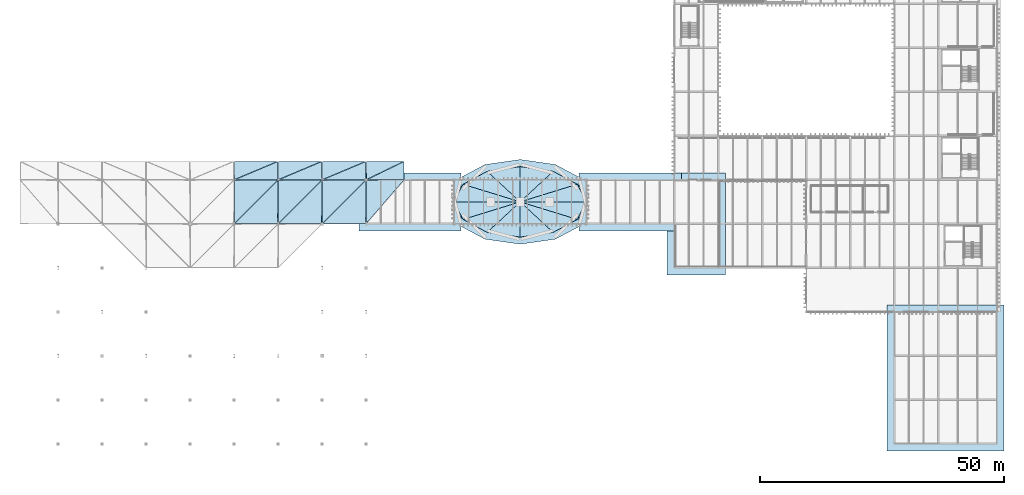
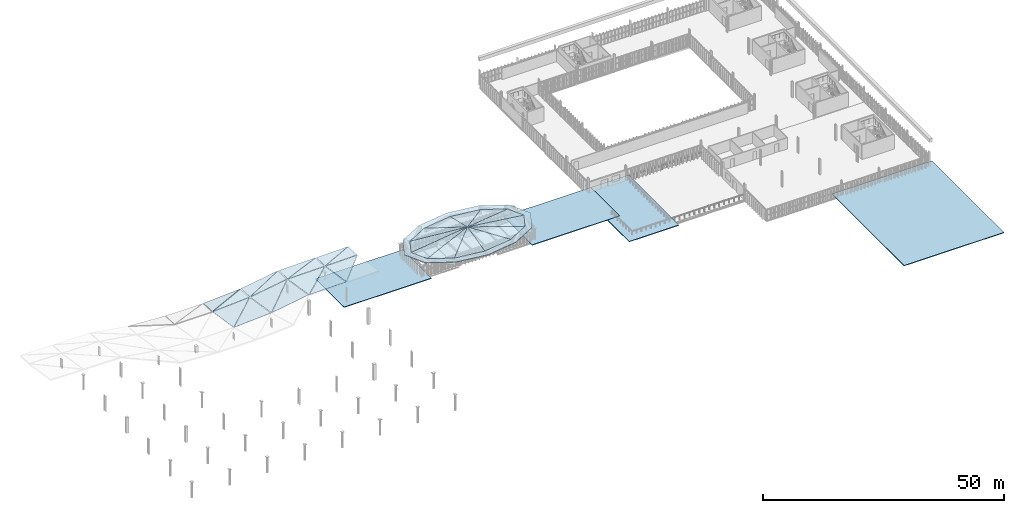
# One storey, part 93 of 102: 32 roofs.
"""IFC4 building model written with IfcOpenShell, lengths in metres."""

import ifcopenshell
import ifcopenshell.guid

model = None  # the IFC model being written
_history = None  # IfcOwnerHistory: only IFC2X3 demands one
_inside = {}  # id of a spatial element -> (the spatial element, [elements in it])
_under = {}  # id of a project, library or spatial element -> (it, [spatial elements below it])
_declared = {}  # id of a project -> (the project, [libraries it declares])
_typed = {}  # id of a type object -> (the type object, [elements of that type])
_made_of = {}  # id of a material, layer set ... -> (it, [elements and type objects made of it])


def new_model(schema):
    """Start an empty IFC model of exactly this schema.

    Asked for "IFC4X3", IfcOpenShell would pick the latest addendum, in which some entities
    have other attributes; the version numbers below select the first issue.
    IFC2X3 requires an IfcOwnerHistory on every rooted entity: one is made here for all.
    """
    global model, _history
    if schema == "IFC4X3":
        model = ifcopenshell.file(schema_version=(4, 3, 0, 0))
    else:
        model = ifcopenshell.file(schema=schema)
    _inside.clear()
    _under.clear()
    _declared.clear()
    _typed.clear()
    _made_of.clear()
    _history = None
    if model.schema == "IFC2X3":
        org = make("IfcOrganization", Name="unknown")
        user = make(
            "IfcPersonAndOrganization",
            ThePerson=make("IfcPerson", FamilyName="unknown"),
            TheOrganization=org,
        )
        app = make(
            "IfcApplication",
            ApplicationDeveloper=org,
            Version="unknown",
            ApplicationFullName="unknown",
            ApplicationIdentifier="unknown",
        )
        _history = make(
            "IfcOwnerHistory",
            OwningUser=user,
            OwningApplication=app,
            ChangeAction="ADDED",
            CreationDate=0,
        )
    return model


def make(cls, **values):
    """One entity of the class cls with the attributes given. An attribute that is None is left unset."""
    return model.create_entity(
        cls, **{name: value for name, value in values.items() if value is not None}
    )


def rooted(cls, **values):
    """An entity with a GlobalId (a new one), such as an element, a storey or a relation."""
    return make(cls, GlobalId=ifcopenshell.guid.new(), OwnerHistory=_history, **values)


def si_unit(unit_type, name, prefix=None):
    """IfcSIUnit, for example si_unit("LENGTHUNIT", "METRE", prefix="MILLI")."""
    return make("IfcSIUnit", UnitType=unit_type, Prefix=prefix, Name=name)


def assignment(units):
    """IfcUnitAssignment: the units of a project."""
    return None if units is None else make("IfcUnitAssignment", Units=units)


def point(xyz):
    """IfcCartesianPoint."""
    return None if xyz is None else make("IfcCartesianPoint", Coordinates=xyz)


def direction(xyz):
    """IfcDirection."""
    return None if xyz is None else make("IfcDirection", DirectionRatios=xyz)


def frame(location, z_axis=None, x_axis=None):
    """IfcAxis2Placement3D, a coordinate frame: its origin and axes. An axis left out is left unset."""
    return make(
        "IfcAxis2Placement3D",
        Location=point(location),
        Axis=direction(z_axis),
        RefDirection=direction(x_axis),
    )


def origin():
    """The frame at (0, 0, 0) with its axes left unset."""
    return frame((0.0, 0.0, 0.0))


def place(relative_to, where):
    """IfcLocalPlacement: puts the frame where relative to a parent placement (None: the world)."""
    return make(
        "IfcLocalPlacement", PlacementRelTo=relative_to, RelativePlacement=where
    )


def context(
    kind, dimensions, precision=None, world=None, true_north=None, identifier=None
):
    """IfcGeometricRepresentationContext, for example the 3D "Model" context."""
    return make(
        "IfcGeometricRepresentationContext",
        ContextIdentifier=identifier,
        ContextType=kind,
        CoordinateSpaceDimension=dimensions,
        Precision=precision,
        WorldCoordinateSystem=world,
        TrueNorth=true_north,
    )


def subcontext(parent, identifier, kind, view, scale=None):
    """IfcGeometricRepresentationSubContext, for example "Body" below "Model"."""
    return make(
        "IfcGeometricRepresentationSubContext",
        ContextIdentifier=identifier,
        ContextType=kind,
        ParentContext=parent,
        TargetScale=scale,
        TargetView=view,
    )


def project(units=None, contexts=None):
    """IfcProject with its units and contexts."""
    return rooted(
        "IfcProject",
        Name="project",
        RepresentationContexts=contexts,
        UnitsInContext=assignment(units),
    )


def spatial(cls, under=None, at=None, **own):
    """A site, building, storey or space (cls), placed at a placement, below another one or the project."""
    s = rooted(cls, ObjectPlacement=at, **own)
    if under is not None:
        _under.setdefault(under.id(), (under, []))[1].append(s)
    return s


def polyline(points):
    """IfcPolyline through the points."""
    return make("IfcPolyline", Points=[point(p) for p in points])


def outline(outer, holes=None, kind="AREA"):
    """IfcArbitraryClosedProfileDef: a profile drawn as a closed curve; with holes, ...WithVoids."""
    if holes is None:
        return make("IfcArbitraryClosedProfileDef", ProfileType=kind, OuterCurve=outer)
    return make(
        "IfcArbitraryProfileDefWithVoids",
        ProfileType=kind,
        OuterCurve=outer,
        InnerCurves=holes,
    )


def extrude(swept, where, along, depth):
    """IfcExtrudedAreaSolid: the profile swept, set in the frame where, extruded along a direction by depth."""
    return make(
        "IfcExtrudedAreaSolid",
        SweptArea=swept,
        Position=where,
        ExtrudedDirection=direction(along),
        Depth=depth,
    )


def shape(context_of_items, identifier, shape_type, items):
    """IfcShapeRepresentation: the items that make up one representation, for example the "Body"."""
    return make(
        "IfcShapeRepresentation",
        ContextOfItems=context_of_items,
        RepresentationIdentifier=identifier,
        RepresentationType=shape_type,
        Items=items,
    )


def material(Name=None, Category=None):
    """IfcMaterial."""
    return make("IfcMaterial", Name=Name, Category=Category)


def layer(
    of_material, thickness, ventilated=None, Name=None, Category=None, Priority=None
):
    """IfcMaterialLayer: one layer of a wall or slab, of a material (None: an air gap)."""
    return make(
        "IfcMaterialLayer",
        Material=of_material,
        LayerThickness=thickness,
        IsVentilated=ventilated,
        Name=Name,
        Category=Category,
        Priority=Priority,
    )


def layer_set(layers, Name=None):
    """IfcMaterialLayerSet."""
    return make("IfcMaterialLayerSet", MaterialLayers=layers, LayerSetName=Name)


def made_of(thing, what):
    """Note that an element or type object is made of a material, layer set ...; save() writes the relation."""
    if what is not None:
        _made_of.setdefault(what.id(), (what, []))[1].append(thing)
    return thing


def type_object(cls, material=None, **own):
    """A type object (cls), such as IfcWallType, which elements share."""
    return made_of(rooted(cls, **own), material)


def element(
    cls,
    number,
    at=None,
    inside=None,
    cuts=None,
    type_object=None,
    material=None,
    context=None,
    identifier="Body",
    shape_type=None,
    held_by="IfcProductDefinitionShape",
    body=None,
    shapes=None,
    **own,
):
    """One element of the class cls, such as IfcWall. Its Tag is "e" and its number.

    at: its placement. inside: the storey or other place that contains it. cuts: it is an
    opening in that element (IfcRelVoidsElement). A single representation is given by context,
    identifier, shape_type and body (its items); several are given by shapes. held_by: the class
    of the entity that holds the representations. save() writes the other relations.
    """
    e = rooted(cls, Tag="e%d" % number, ObjectPlacement=at, **own)
    if body is not None:
        shapes = [shape(context, identifier, shape_type, body)]
    if shapes is not None:
        e.Representation = make(held_by, Representations=shapes)
    if inside is not None:
        _inside.setdefault(inside.id(), (inside, []))[1].append(e)
    if cuts is not None:
        rooted(
            "IfcRelVoidsElement", RelatingBuildingElement=cuts, RelatedOpeningElement=e
        )
    if type_object is not None:
        _typed.setdefault(type_object.id(), (type_object, []))[1].append(e)
    return made_of(e, material)


def aggregate(whole, parts):
    """IfcRelAggregates: a whole, such as a stair, and the parts it consists of."""
    return rooted("IfcRelAggregates", RelatingObject=whole, RelatedObjects=parts)


def save(model, path):
    """Write the relations noted so far, then the file.

    IfcRelAggregates (storeys below a building ...), IfcRelContainedInSpatialStructure (elements
    in a storey), IfcRelDefinesByType, IfcRelAssociatesMaterial and IfcRelDeclares: one each for
    every whole, place, type object, material and project.
    """
    for whole, parts in _under.values():
        aggregate(whole, parts)
    for where, things in _inside.values():
        rooted(
            "IfcRelContainedInSpatialStructure",
            RelatedElements=things,
            RelatingStructure=where,
        )
    for kind, things in _typed.values():
        rooted("IfcRelDefinesByType", RelatedObjects=things, RelatingType=kind)
    for what, things in _made_of.values():
        rooted("IfcRelAssociatesMaterial", RelatedObjects=things, RelatingMaterial=what)
    for by, libraries in _declared.values():
        rooted("IfcRelDeclares", RelatingContext=by, RelatedDefinitions=libraries)
    model.write(path)


model = new_model("IFC4")

# Units and contexts
model_context = context("Model", 3, precision=1e-05, world=origin(), true_north=direction((0.0, 1.0)))
body_context = subcontext(model_context, "Body", "Model", "MODEL_VIEW")
ifc_project = project(units=[si_unit("LENGTHUNIT", "METRE"), si_unit("AREAUNIT", "SQUARE_METRE"), si_unit("VOLUMEUNIT", "CUBIC_METRE"), si_unit("PLANEANGLEUNIT", "RADIAN"), si_unit("MASSUNIT", "GRAM", prefix="KILO")], contexts=[model_context])

# Site, building, storey
site_placement = place(None, origin())
site = spatial("IfcSite", under=ifc_project, at=site_placement, CompositionType="ELEMENT")
building_placement = place(site_placement, origin())
building = spatial("IfcBuilding", under=site, at=building_placement, Name="Barlavento Convention Centre", CompositionType="ELEMENT")
storey_placement = place(building_placement, frame((0.0, 0.0, 22.800048828125)))
storey = spatial("IfcBuildingStorey", under=building, at=storey_placement, Name="L04", CompositionType="ELEMENT", Elevation=22.800048828125)

# Roofs
ifc_material_1 = material(Name="PVDF standing-seam aluminium roof deck", Category="aluminium")
ifc_layer_1 = layer(ifc_material_1, 0.050048828125)
ifc_layer_set_1 = layer_set([ifc_layer_1], Name="ARC-ROOF-CONG-FREE")
roof_type_1 = type_object("IfcRoofType", Name="ARC-ROOF-CONG-FREE", PredefinedType="FREEFORM", material=ifc_layer_set_1)
roof_1_placement = place(storey_placement, frame((36.107421875, 45.0537109375, 3.034423828125), z_axis=(-0.059127673889, 0.159858130938, 0.98536759443), x_axis=(0.998232435195, 0.003541793761, 0.059325045489)))
element("IfcRoof", 1, at=roof_1_placement, inside=storey, type_object=roof_type_1, Name="Congress standing-seam roof deck 093", PredefinedType="FREEFORM", context=body_context, shape_type="SweptSolid", body=[
    extrude(outline(polyline([(0.0, 0.0), (8.823212787893743, 1.3877787807814457e-17), (8.800945359311527, 8.922496053229295), (0.0, 0.0)])), origin(), (0.0, 0.0, -1.0), 0.050048828125),
])
roof_2_placement = place(storey_placement, frame((36.0537109375, 45.107421875, 3.020751953125), z_axis=(-0.059399517545, 0.159909716275, 0.985342874311), x_axis=(0.705274551291, 0.705274551291, -0.071941744501)))
element("IfcRoof", 2, at=roof_2_placement, inside=storey, type_object=roof_type_1, Name="Congress standing-seam roof deck 094", PredefinedType="FREEFORM", context=body_context, shape_type="SweptSolid", body=[
    extrude(outline(polyline([(0.0, 0.0), (12.53251967098124, 2.220446049250313e-16), (6.336524227306227, 6.281821883024275), (0.0, 0.0)])), origin(), (0.0, 0.0, -1.0), 0.050048828125),
])
roof_3_placement = place(storey_placement, frame((36.117431640625, 54.02490234375, 1.585205078125), z_axis=(-0.059920294393, 0.036346966751, 0.997541205328), x_axis=(0.998203122605, 0.002472587752, 0.059869961848)))
element("IfcRoof", 3, at=roof_3_placement, inside=storey, type_object=roof_type_1, Name="Congress standing-seam roof deck 095", PredefinedType="FREEFORM", context=body_context, shape_type="SweptSolid", body=[
    extrude(outline(polyline([(0.0, 0.0), (8.787763189278712, 0.0), (8.807666054261514, 3.6784180165636813), (0.0, 0.0)])), origin(), (0.0, 0.0, -1.0), 0.050048828125),
])
roof_4_placement = place(storey_placement, frame((36.091796875, 54.077392578125, 1.581298828125), z_axis=(-0.059975659417, 0.036479455843, 0.997533041848), x_axis=(0.92098831411, 0.387404921418, 0.041206214737)))
element("IfcRoof", 4, at=roof_4_placement, inside=storey, type_object=roof_type_1, Name="Congress standing-seam roof deck 096", PredefinedType="FREEFORM", context=body_context, shape_type="SweptSolid", body=[
    extrude(outline(polyline([(0.0, 0.0), (9.544932709452219, -4.128641872824801e-16), (1.4359310079927181, 3.3866483884550864), (0.0, 0.0)])), origin(), (0.0, 0.0, -1.0), 0.050048828125),
])
roof_5_placement = place(storey_placement, frame((45.107421875, 45.0537109375, 3.59375), z_axis=(-0.154207433603, 0.158974979381, 0.975165126198), x_axis=(0.987808351237, 0.003504808431, 0.155635399391)))
element("IfcRoof", 5, at=roof_5_placement, inside=storey, type_object=roof_type_1, Name="Congress standing-seam roof deck 109", PredefinedType="FREEFORM", context=body_context, shape_type="SweptSolid", body=[
    extrude(outline(polyline([(0.0, 0.0), (8.916321851771608, -2.7755575615628914e-17), (8.755359904038592, 8.921697519037386), (0.0, 0.0)])), origin(), (0.0, 0.0, -1.0), 0.050048828125),
])
roof_6_placement = place(storey_placement, frame((45.0537109375, 45.107421875, 3.572265625), z_axis=(-0.155149589518, 0.1580855212, 0.9751602806), x_axis=(0.707105178814, 0.707105178814, -0.002128893616)))
element("IfcRoof", 6, at=roof_6_placement, inside=storey, type_object=roof_type_1, Name="Congress standing-seam roof deck 110", PredefinedType="FREEFORM", context=body_context, shape_type="SweptSolid", body=[
    extrude(outline(polyline([(0.0, 0.0), (12.500074178952415, 4.466912950640278e-16), (6.253037862741516, 6.36389198054737), (0.0, 0.0)])), origin(), (0.0, 0.0, -1.0), 0.050048828125),
])
roof_7_placement = place(storey_placement, frame((45.117431640625, 54.02490234375, 2.146240234375), z_axis=(-0.156717736601, 0.037114647716, 0.986945821188), x_axis=(0.987637571496, 0.002446416473, 0.156735581204)))
element("IfcRoof", 7, at=roof_7_placement, inside=storey, type_object=roof_type_1, Name="Congress standing-seam roof deck 111", PredefinedType="FREEFORM", context=body_context, shape_type="SweptSolid", body=[
    extrude(outline(polyline([(0.0, 0.0), (8.881772939197491, 6.938893903907228e-18), (8.888133357617184, 3.678555318694007), (0.0, 0.0)])), origin(), (0.0, 0.0, -1.0), 0.050048828125),
])
roof_8_placement = place(storey_placement, frame((45.091796875, 54.077392578125, 2.138671875), z_axis=(-0.156989779674, 0.035870738078, 0.98694857983), x_axis=(0.913781215447, 0.38437332433, 0.131381268986)))
element("IfcRoof", 8, at=roof_8_placement, inside=storey, type_object=roof_type_1, Name="Congress standing-seam roof deck 112", PredefinedType="FREEFORM", context=body_context, shape_type="SweptSolid", body=[
    extrude(outline(polyline([(0.0, 0.0), (9.620214703229923, -4.440892098500626e-16), (1.4129837204884517, 3.396182182030877), (0.0, 0.0)])), origin(), (0.0, 0.0, -1.0), 0.050048828125),
])
roof_9_placement = place(storey_placement, frame((54.107421875, 45.0537109375, 4.9921875), z_axis=(-0.014001681642, 0.16039276416, 0.986953957445), x_axis=(0.999901102112, 0.0035477143, 0.013608810321)))
element("IfcRoof", 9, at=roof_9_placement, inside=storey, type_object=roof_type_1, Name="Congress standing-seam roof deck 125", PredefinedType="FREEFORM", context=body_context, shape_type="SweptSolid", body=[
    extrude(outline(polyline([(0.0, 0.0), (8.808488328391684, 3.469446951953614e-18), (8.85150918895073, 8.923045700621095), (0.0, 0.0)])), origin(), (0.0, 0.0, -1.0), 0.050048828125),
])
roof_10_placement = place(storey_placement, frame((54.0537109375, 45.107421875, 4.97802734375), z_axis=(-0.014630284151, 0.159993649674, 0.987009618418), x_axis=(0.703303336418, 0.703303336418, -0.103580084791)))
element("IfcRoof", 10, at=roof_10_placement, inside=storey, type_object=roof_type_1, Name="Congress standing-seam roof deck 126", PredefinedType="FREEFORM", context=body_context, shape_type="SweptSolid", body=[
    extrude(outline(polyline([(0.0, 0.0), (12.567645750852988, 1.0547118733938987e-15), (6.364239054536904, 6.253686093247508), (0.0, 0.0)])), origin(), (0.0, 0.0, -1.0), 0.050048828125),
])
roof_11_placement = place(storey_placement, frame((54.117431640625, 54.02490234375, 3.543212890625), z_axis=(-0.01441358641, 0.03690470087, 0.99921483755), x_axis=(0.999894225372, 0.002476776678, 0.014331909994)))
element("IfcRoof", 11, at=roof_11_placement, inside=storey, type_object=roof_type_1, Name="Congress standing-seam roof deck 127", PredefinedType="FREEFORM", context=body_context, shape_type="SweptSolid", body=[
    extrude(outline(polyline([(0.0, 0.0), (8.772900606543967, -5.204170427930421e-18), (8.798860194374852, 3.6784782028666623), (0.0, 0.0)])), origin(), (0.0, 0.0, -1.0), 0.050048828125),
])
roof_12_placement = place(storey_placement, frame((54.091796875, 54.077392578125, 3.5390625), z_axis=(-0.014607057612, 0.036309120282, 0.999233847331), x_axis=(0.9217710343, 0.387734165176, -0.000614394557)))
element("IfcRoof", 12, at=roof_12_placement, inside=storey, type_object=roof_type_1, Name="Congress standing-seam roof deck 128", PredefinedType="FREEFORM", context=body_context, shape_type="SweptSolid", body=[
    extrude(outline(polyline([(0.0, 0.0), (9.536827647282044, 1.5626063810947333e-16), (1.4427307505200757, 3.383757253149848), (0.0, 0.0)])), origin(), (0.0, 0.0, -1.0), 0.050048828125),
])
roof_13_placement = place(storey_placement, frame((63.047607421875, 45.110107421875, 5.107666015625), z_axis=(-0.014691581017, 0.16001129237, 0.987005847886), x_axis=(0.65060529371, 0.751099388968, -0.112082379027)))
element("IfcRoof", 13, at=roof_13_placement, inside=storey, type_object=roof_type_1, Name="Congress standing-seam roof deck 142", PredefinedType="FREEFORM", context=body_context, shape_type="SweptSolid", body=[
    extrude(outline(polyline([(0.0, 0.0), (11.755879600039778, -4.440892098500626e-16), (6.788982696778273, 5.776495170651408), (0.0, 0.0)])), origin(), (0.0, 0.0, -1.0), 0.050048828125),
])
roof_14_placement = place(storey_placement, frame((63.11669921875, 54.0283203125, 3.67333984375), z_axis=(-0.014383338491, 0.036840317376, 0.999217649258), x_axis=(0.999893011435, 0.003190222312, 0.014275439236)))
element("IfcRoof", 14, at=roof_14_placement, inside=storey, type_object=roof_type_1, Name="Congress standing-seam roof deck 143", PredefinedType="FREEFORM", context=body_context, shape_type="SweptSolid", body=[
    extrude(outline(polyline([(0.0, 0.0), (7.5762500252445975, -3.469446951953614e-18), (7.60798488725952, 3.666224548541801), (0.0, 0.0)])), origin(), (0.0, 0.0, -1.0), 0.050048828125),
])
roof_15_placement = place(storey_placement, frame((63.0859375, 54.083740234375, 3.6689453125), z_axis=(-0.014607127983, 0.036245493428, 0.999236156281), x_axis=(0.899617840197, 0.436669799035, -0.002688533023)))
element("IfcRoof", 15, at=roof_15_placement, inside=storey, type_object=roof_type_1, Name="Congress standing-seam roof deck 144", PredefinedType="FREEFORM", context=body_context, shape_type="SweptSolid", body=[
    extrude(outline(polyline([(0.0, 0.0), (8.44515500905487, 4.1253892663073444e-16), (1.6198956258230401, 3.2887340095026105), (0.0, 0.0)])), origin(), (0.0, 0.0, -1.0), 0.050048828125),
])
roof_16_placement = place(storey_placement, frame((108.0, 49.5, 3.56005859375), z_axis=(0.127567846906, 0.064104010957, 0.989756091275), x_axis=(-0.449006297724, 0.893528591934, 0.0)))
element("IfcRoof", 16, at=roof_16_placement, inside=storey, type_object=roof_type_1, Name="Concourse rotunda conical roof crown", PredefinedType="FREEFORM", context=body_context, shape_type="SweptSolid", body=[
    extrude(outline(polyline([(0.0, 0.0), (4.029079414745802, -2.220446049250313e-16), (6.061585019270673, 12.187483459265644), (0.0, 0.0)])), origin(), (0.0, 0.0, -1.0), 0.070068359375),
])
roof_17_placement = place(storey_placement, frame((106.19091796875, 53.10009765625, 3.56005859375), z_axis=(0.092510725935, 0.173467253912, 0.980485021511), x_axis=(-0.882363803065, 0.470567868687, 0.0)))
element("IfcRoof", 17, at=roof_17_placement, inside=storey, type_object=roof_type_1, Name="Concourse rotunda conical roof crown", PredefinedType="FREEFORM", context=body_context, shape_type="SweptSolid", body=[
    extrude(outline(polyline([(0.0, 0.0), (5.599638098918156, 0.0), (8.621552559063394, 8.850687180869414), (0.0, 0.0)])), origin(), (0.0, 0.0, -1.0), 0.070068359375),
])
roof_18_placement = place(storey_placement, frame((101.25, 55.735107421875, 3.56005859375), z_axis=(0.033558325382, 0.23477241401, 0.971470922065), x_axis=(-0.989938032796, 0.141501559086, 0.0)))
element("IfcRoof", 18, at=roof_18_placement, inside=storey, type_object=roof_type_1, Name="Concourse rotunda conical roof crown", PredefinedType="FREEFORM", context=body_context, shape_type="SweptSolid", body=[
    extrude(outline(polyline([(0.0, 0.0), (6.8186086162731225, 1.1102230246251565e-16), (5.79980430010961, 7.3368181562903105), (0.0, 0.0)])), origin(), (0.0, 0.0, -1.0), 0.070068359375),
])
roof_19_placement = place(storey_placement, frame((94.5, 56.699951171875, 3.56005859375), z_axis=(-0.033558325382, 0.23477241401, 0.971470922065), x_axis=(-0.989938032796, -0.141501559086, 0.0)))
element("IfcRoof", 19, at=roof_19_placement, inside=storey, type_object=roof_type_1, Name="Concourse rotunda conical roof crown", PredefinedType="FREEFORM", context=body_context, shape_type="SweptSolid", body=[
    extrude(outline(polyline([(0.0, 0.0), (6.8186086162731225, -1.1102230246251565e-16), (1.0188043161635123, 7.3368181562903105), (0.0, 0.0)])), origin(), (0.0, 0.0, -1.0), 0.070068359375),
])
roof_20_placement = place(storey_placement, frame((87.75, 55.735107421875, 3.56005859375), z_axis=(-0.092510725935, 0.173467253912, 0.980485021511), x_axis=(-0.882363803065, -0.470567868687, 0.0)))
element("IfcRoof", 20, at=roof_20_placement, inside=storey, type_object=roof_type_1, Name="Concourse rotunda conical roof crown", PredefinedType="FREEFORM", context=body_context, shape_type="SweptSolid", body=[
    extrude(outline(polyline([(0.0, 0.0), (5.599638098918156, 0.0), (-3.021914460145237, 8.850687180869414), (0.0, 0.0)])), origin(), (0.0, 0.0, -1.0), 0.070068359375),
])
roof_21_placement = place(storey_placement, frame((82.80908203125, 53.10009765625, 3.56005859375), z_axis=(-0.127567846906, 0.064104010957, 0.989756091275), x_axis=(-0.449006297724, -0.893528591934, 0.0)))
element("IfcRoof", 21, at=roof_21_placement, inside=storey, type_object=roof_type_1, Name="Concourse rotunda conical roof crown", PredefinedType="FREEFORM", context=body_context, shape_type="SweptSolid", body=[
    extrude(outline(polyline([(0.0, 0.0), (4.029079414745802, 2.220446049250313e-16), (-2.032505604524872, 12.187483459265643), (0.0, 0.0)])), origin(), (0.0, 0.0, -1.0), 0.070068359375),
])
roof_22_placement = place(storey_placement, frame((81.0, 49.5, 3.56005859375), z_axis=(-0.127567846906, -0.064104010957, 0.989756091275), x_axis=(0.449006297724, -0.893528591934, 0.0)))
element("IfcRoof", 22, at=roof_22_placement, inside=storey, type_object=roof_type_1, Name="Concourse rotunda conical roof crown", PredefinedType="FREEFORM", context=body_context, shape_type="SweptSolid", body=[
    extrude(outline(polyline([(0.0, 0.0), (4.029079414745802, -2.220446049250313e-16), (6.061585019270673, 12.187483459265644), (0.0, 0.0)])), origin(), (0.0, 0.0, -1.0), 0.070068359375),
])
roof_23_placement = place(storey_placement, frame((82.80908203125, 45.89990234375, 3.56005859375), z_axis=(-0.092510725935, -0.173467253912, 0.980485021511), x_axis=(0.882363803065, -0.470567868687, 0.0)))
element("IfcRoof", 23, at=roof_23_placement, inside=storey, type_object=roof_type_1, Name="Concourse rotunda conical roof crown", PredefinedType="FREEFORM", context=body_context, shape_type="SweptSolid", body=[
    extrude(outline(polyline([(0.0, 0.0), (5.599638098918156, 0.0), (8.621552559063394, 8.850687180869414), (0.0, 0.0)])), origin(), (0.0, 0.0, -1.0), 0.070068359375),
])
roof_24_placement = place(storey_placement, frame((87.75, 43.264892578125, 3.56005859375), z_axis=(-0.033558325382, -0.23477241401, 0.971470922065), x_axis=(0.989938032796, -0.141501559086, 0.0)))
element("IfcRoof", 24, at=roof_24_placement, inside=storey, type_object=roof_type_1, Name="Concourse rotunda conical roof crown", PredefinedType="FREEFORM", context=body_context, shape_type="SweptSolid", body=[
    extrude(outline(polyline([(0.0, 0.0), (6.8186086162731225, 1.1102230246251565e-16), (5.79980430010961, 7.3368181562903105), (0.0, 0.0)])), origin(), (0.0, 0.0, -1.0), 0.070068359375),
])
roof_25_placement = place(storey_placement, frame((94.5, 42.300048828125, 3.56005859375), z_axis=(0.033558325382, -0.23477241401, 0.971470922065), x_axis=(0.989938032796, 0.141501559086, 0.0)))
element("IfcRoof", 25, at=roof_25_placement, inside=storey, type_object=roof_type_1, Name="Concourse rotunda conical roof crown", PredefinedType="FREEFORM", context=body_context, shape_type="SweptSolid", body=[
    extrude(outline(polyline([(0.0, 0.0), (6.8186086162731225, -1.1102230246251565e-16), (1.0188043161635123, 7.3368181562903105), (0.0, 0.0)])), origin(), (0.0, 0.0, -1.0), 0.070068359375),
])
roof_26_placement = place(storey_placement, frame((101.25, 43.264892578125, 3.56005859375), z_axis=(0.092510725935, -0.173467253912, 0.980485021511), x_axis=(0.882363803065, 0.470567868687, 0.0)))
element("IfcRoof", 26, at=roof_26_placement, inside=storey, type_object=roof_type_1, Name="Concourse rotunda conical roof crown", PredefinedType="FREEFORM", context=body_context, shape_type="SweptSolid", body=[
    extrude(outline(polyline([(0.0, 0.0), (5.599638098918156, 0.0), (-3.021914460145237, 8.850687180869414), (0.0, 0.0)])), origin(), (0.0, 0.0, -1.0), 0.070068359375),
])
roof_27_placement = place(storey_placement, frame((106.19091796875, 45.89990234375, 3.56005859375), z_axis=(0.127567846906, -0.064104010957, 0.989756091275), x_axis=(0.449006297724, 0.893528591934, 0.0)))
element("IfcRoof", 27, at=roof_27_placement, inside=storey, type_object=roof_type_1, Name="Concourse rotunda conical roof crown", PredefinedType="FREEFORM", context=body_context, shape_type="SweptSolid", body=[
    extrude(outline(polyline([(0.0, 0.0), (4.029079414745802, 2.220446049250313e-16), (-2.032505604524872, 12.187483459265643), (0.0, 0.0)])), origin(), (0.0, 0.0, -1.0), 0.070068359375),
])
ifc_material_2 = material(Name="Insulated waterproof flat roof deck", Category="concrete")
ifc_layer_2 = layer(ifc_material_2, 0.050048828125)
ifc_layer_set_2 = layer_set([ifc_layer_2], Name="ARC-ROOF-FLAT-WING")
roof_type_2 = type_object("IfcRoofType", Name="ARC-ROOF-FLAT-WING", PredefinedType="FLAT_ROOF", material=ifc_layer_set_2)
roof_28_placement = place(storey_placement, origin())
element("IfcRoof", 28, at=roof_28_placement, inside=storey, type_object=roof_type_2, Name="V3 horizontal roof deck RS-401", PredefinedType="FLAT_ROOF", context=body_context, shape_type="SweptSolid", body=[
    extrude(outline(polyline([(61.550048828125, 43.550048828125), (61.550048828125, 55.449951171875), (82.449951171875, 55.449951171875), (82.449951171875, 43.550048828125), (61.550048828125, 43.550048828125)])), origin(), (0.0, 0.0, 1.0), 0.159912109375),
])
roof_29_placement = place(storey_placement, origin())
element("IfcRoof", 29, at=roof_29_placement, inside=storey, type_object=roof_type_2, Name="V3 horizontal roof deck RS-404", PredefinedType="FLAT_ROOF", context=body_context, shape_type="SweptSolid", body=[
    extrude(outline(polyline([(106.550048828125, 43.550048828125), (106.550048828125, 55.449951171875), (127.449951171875, 55.449951171875), (127.449951171875, 43.550048828125), (106.550048828125, 43.550048828125)])), origin(), (0.0, 0.0, 1.0), 0.159912109375),
])
roof_30_placement = place(storey_placement, frame((0.0, 0.0, 3.39990234375)))
element("IfcRoof", 30, at=roof_30_placement, inside=storey, type_object=roof_type_2, Name="V3 horizontal roof deck RS-405", PredefinedType="FLAT_ROOF", context=body_context, shape_type="SweptSolid", body=[
    extrude(outline(polyline([(109.623046875, 49.5), (107.280029296875, 44.8369140625), (101.70703125, 41.865966796875), (94.5, 40.8349609375), (87.29296875, 41.865966796875), (81.719970703125, 44.8369140625), (79.376953125, 49.5), (81.719970703125, 54.1630859375), (87.29296875, 57.134033203125), (94.5, 58.1650390625), (101.70703125, 57.134033203125), (107.280029296875, 54.1630859375), (109.623046875, 49.5)]), holes=[polyline([(87.14990234375, 48.14990234375), (89.85009765625, 48.14990234375), (89.85009765625, 50.85009765625), (87.14990234375, 50.85009765625), (87.14990234375, 48.14990234375)]), polyline([(93.14990234375, 48.14990234375), (95.85009765625, 48.14990234375), (95.85009765625, 50.85009765625), (93.14990234375, 50.85009765625), (93.14990234375, 48.14990234375)]), polyline([(99.14990234375, 48.14990234375), (101.85009765625, 48.14990234375), (101.85009765625, 50.85009765625), (99.14990234375, 50.85009765625), (99.14990234375, 48.14990234375)])]), origin(), (0.0, 0.0, 1.0), 0.16015625),
])
roof_31_placement = place(storey_placement, origin())
element("IfcRoof", 31, at=roof_31_placement, inside=storey, type_object=roof_type_2, Name="V3 horizontal roof deck RS-402", PredefinedType="FLAT_ROOF", context=body_context, shape_type="SweptSolid", body=[
    extrude(outline(polyline([(169.550048828125, -1.449951171875), (169.550048828125, 28.449951171875), (193.449951171875, 28.449951171875), (193.449951171875, -1.449951171875), (169.550048828125, -1.449951171875)])), origin(), (0.0, 0.0, 1.0), 0.159912109375),
])
roof_32_placement = place(storey_placement, origin())
element("IfcRoof", 32, at=roof_32_placement, inside=storey, type_object=roof_type_2, Name="V4 horizontal roof deck RS-403", PredefinedType="FLAT_ROOF", context=body_context, shape_type="SweptSolid", body=[
    extrude(outline(polyline([(124.550048828125, 34.550048828125), (124.550048828125, 55.449951171875), (136.449951171875, 55.449951171875), (136.449951171875, 34.550048828125), (124.550048828125, 34.550048828125)])), origin(), (0.0, 0.0, 1.0), 0.159912109375),
])

save(model, "model.ifc")
